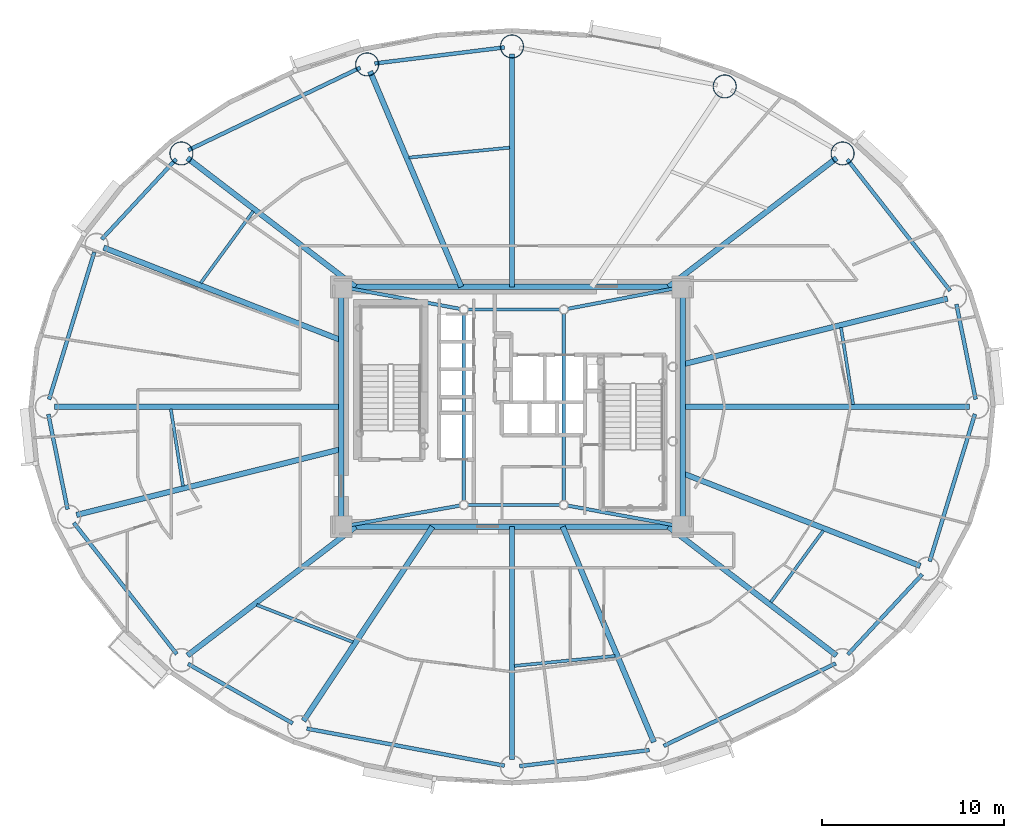
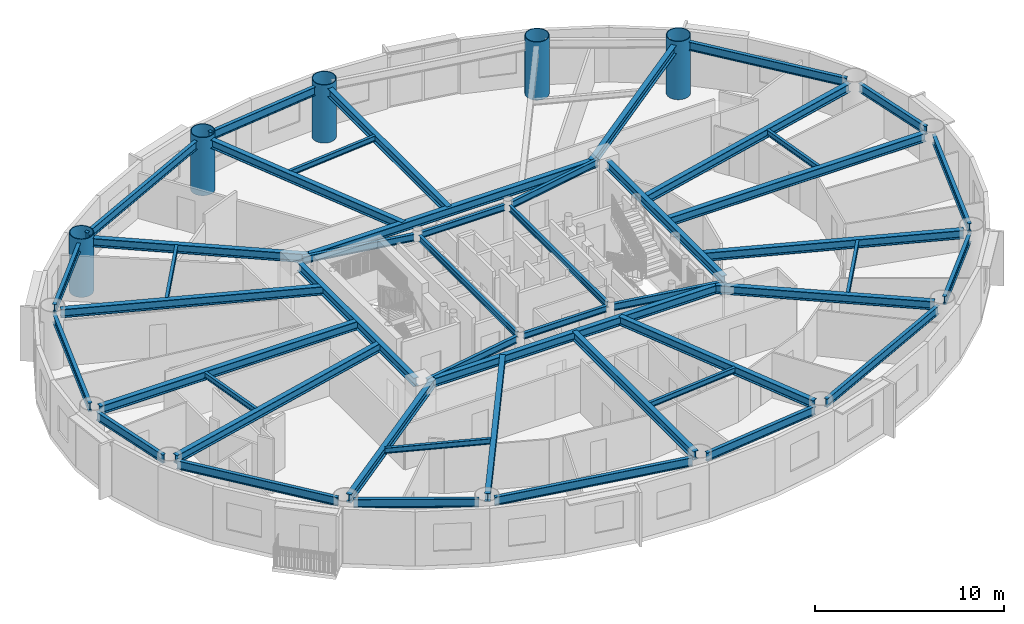
# One storey, part 3 of 18: 48 beams, 5 columns.
"""IFC4 building model written with IfcOpenShell, lengths in metres."""

from ifc_helpers import new_model, si_unit, direction, frame, origin, origin_2d, place, context, subcontext, project, spatial, hollow_circle, i_section, extrude, material, material_profile, profile_set, type_object, element, save


model = new_model("IFC4")

# Units and contexts
model_context = context("Model", 3, precision=1e-05, world=origin(), true_north=direction((0.0, 1.0)))
body_context = subcontext(model_context, "Body", "Model", "MODEL_VIEW")
ifc_project = project(units=[si_unit("LENGTHUNIT", "METRE"), si_unit("AREAUNIT", "SQUARE_METRE"), si_unit("VOLUMEUNIT", "CUBIC_METRE"), si_unit("PLANEANGLEUNIT", "RADIAN"), si_unit("MASSUNIT", "GRAM", prefix="KILO")], contexts=[model_context])

# Site, building, storey
site_placement = place(None, origin())
site = spatial("IfcSite", under=ifc_project, at=site_placement, CompositionType="ELEMENT")
building_placement = place(site_placement, origin())
building = spatial("IfcBuilding", under=site, at=building_placement, Name="Linh Dai School and Residence Tower", CompositionType="ELEMENT")
storey_placement = place(building_placement, frame((0.0, 0.0, 167.39990234375)))
storey = spatial("IfcBuildingStorey", under=building, at=storey_placement, Name="L40", CompositionType="ELEMENT", Elevation=167.39990234375)

# Columns
ifc_material = material(Name="Structural Steel S355JR", Category="steel")
ifc_material_profile_1 = material_profile(ifc_material, hollow_circle(Radius=0.64990234375, WallThickness=0.0400390625, at=origin_2d()), Name="CHS 1300x40")
ifc_profile_set_1 = profile_set([ifc_material_profile_1], Name="Structural Steel S355JR")
column_type = type_object("IfcColumnType", Name="COL-MC4", PredefinedType="COLUMN", material=ifc_profile_set_1)
for number, where, z_axis, x_axis, name in (
    (1, (54.1923828125, 40.941650390625, 0.0), (0.0, 0.0, 1.0), (1.0, 0.0, 0.0), "L40 Perimeter CFT Mega-Column MC03"),
    (2, (47.70556640625, 44.630859375, 0.0), (0.0, 0.0, 1.0), (1.0, 0.0, 0.0), "L40 Perimeter CFT Mega-Column MC04"),
    (3, (36.0, 46.830078125, 0.0), (0.0, 0.0, 1.0), (1.0, 0.0, 0.0), "L40 Perimeter CFT Mega-Column MC05"),
    (4, (28.026611328125, 45.84130859375, 0.0), (0.0, 0.0, 1.0), (1.0, 0.0, 0.0), "L40 Perimeter CFT Mega-Column MC06"),
    (5, (17.8076171875, 40.941650390625, 0.0), (0.0, 0.0, 1.0), (1.0, 0.0, 0.0), "L40 Perimeter CFT Mega-Column MC07"),
):
    element("IfcColumn", number, at=place(storey_placement, frame(where, z_axis=z_axis, x_axis=x_axis)), inside=storey, type_object=column_type, Name=name, PredefinedType="COLUMN", context=body_context, shape_type="SweptSolid", body=[
        extrude(hollow_circle(Radius=0.64990234375, WallThickness=0.0400390625, at=origin_2d()), origin(), (0.0, 0.0, 1.0), 3.75),
    ])

# Beams
ifc_material_profile_2 = material_profile(ifc_material, i_section(OverallWidth=0.2099609375, OverallDepth=0.550048828125, WebThickness=0.010986328125, FlangeThickness=0.01708984375, FilletRadius=0.02392578125, at=origin_2d()), Name="IPE 550")
ifc_profile_set_2 = profile_set([ifc_material_profile_2], Name="Structural Steel S355JR")
beam_type_1 = type_object("IfcBeamType", Name="BM-RB55", PredefinedType="BEAM", material=ifc_profile_set_2)
beam_1_placement = place(storey_placement, frame((61.5166015625, 27.41162109375, 3.22509765625), z_axis=(-0.198420723955, 0.980116940117, 0.0), x_axis=(-0.980116940117, -0.198420723955, 0.0)))
element("IfcBeam", 6, at=beam_1_placement, inside=storey, type_object=beam_type_1, Name="L40 Perimeter Elliptical Ring Beam 01", PredefinedType="BEAM", context=body_context, shape_type="SweptSolid", body=[
    extrude(i_section(OverallWidth=0.2099609375, OverallDepth=0.550048828125, WebThickness=0.010986328125, FlangeThickness=0.01708984375, FilletRadius=0.02392578125, at=origin_2d()), origin(), (0.0, 0.0, 1.0), 5.33642578125),
])
beam_2_placement = place(storey_placement, frame((60.115478515625, 33.38427734375, 3.22509765625), z_axis=(-0.616852281883, 0.787078942887, 0.0), x_axis=(-0.787078942887, -0.616852281883, 0.0)))
element("IfcBeam", 7, at=beam_2_placement, inside=storey, type_object=beam_type_1, Name="L40 Perimeter Elliptical Ring Beam 02", PredefinedType="BEAM", context=body_context, shape_type="SweptSolid", body=[
    extrude(i_section(OverallWidth=0.2099609375, OverallDepth=0.550048828125, WebThickness=0.010986328125, FlangeThickness=0.01708984375, FilletRadius=0.02392578125, at=origin_2d()), origin(), (0.0, 0.0, 1.0), 9.181884765625),
])
beam_3_placement = place(storey_placement, frame((35.583251953125, 46.7783203125, 3.22509765625), z_axis=(-0.992400597975, -0.123048986741, 0.0), x_axis=(0.123048986741, -0.992400597975, 0.0)))
element("IfcBeam", 8, at=beam_3_placement, inside=storey, type_object=beam_type_1, Name="L40 Perimeter Elliptical Ring Beam 05", PredefinedType="BEAM", context=body_context, shape_type="SweptSolid", body=[
    extrude(i_section(OverallWidth=0.2099609375, OverallDepth=0.550048828125, WebThickness=0.010986328125, FlangeThickness=0.01708984375, FilletRadius=0.02392578125, at=origin_2d()), origin(), (0.0, 0.0, 1.0), 7.1943359375),
])
beam_4_placement = place(storey_placement, frame((27.64794921875, 45.659912109375, 3.22509765625), z_axis=(-0.901708141823, -0.432345263614, 0.0), x_axis=(0.432345263614, -0.901708141823, 0.0)))
element("IfcBeam", 9, at=beam_4_placement, inside=storey, type_object=beam_type_1, Name="L40 Perimeter Elliptical Ring Beam 06", PredefinedType="BEAM", context=body_context, shape_type="SweptSolid", body=[
    extrude(i_section(OverallWidth=0.2099609375, OverallDepth=0.550048828125, WebThickness=0.010986328125, FlangeThickness=0.01708984375, FilletRadius=0.02392578125, at=origin_2d()), origin(), (0.0, 0.0, 1.0), 10.4931640625),
])
beam_5_placement = place(storey_placement, frame((17.521728515625, 40.6337890625, 3.22509765625), z_axis=(-0.680378035197, -0.732861330145, 0.0), x_axis=(0.732861330145, -0.680378035197, 0.0)))
element("IfcBeam", 10, at=beam_5_placement, inside=storey, type_object=beam_type_1, Name="L40 Perimeter Elliptical Ring Beam 07", PredefinedType="BEAM", context=body_context, shape_type="SweptSolid", body=[
    extrude(i_section(OverallWidth=0.2099609375, OverallDepth=0.550048828125, WebThickness=0.010986328125, FlangeThickness=0.01708984375, FilletRadius=0.02392578125, at=origin_2d()), origin(), (0.0, 0.0, 1.0), 6.024169921875),
])
beam_6_placement = place(storey_placement, frame((13.01416015625, 35.509765625, 3.22509765625), z_axis=(-0.29363681283, -0.955917058196, 0.0), x_axis=(0.955917058196, -0.29363681283, 0.0)))
element("IfcBeam", 11, at=beam_6_placement, inside=storey, type_object=beam_type_1, Name="L40 Perimeter Elliptical Ring Beam 08", PredefinedType="BEAM", context=body_context, shape_type="SweptSolid", body=[
    extrude(i_section(OverallWidth=0.2099609375, OverallDepth=0.550048828125, WebThickness=0.010986328125, FlangeThickness=0.01708984375, FilletRadius=0.02392578125, at=origin_2d()), origin(), (0.0, 0.0, 1.0), 8.482421875),
])
beam_7_placement = place(storey_placement, frame((10.4833984375, 26.58837890625, 3.22509765625), z_axis=(0.198420723955, -0.980116940117, 0.0), x_axis=(0.980116940117, 0.198420723955, 0.0)))
element("IfcBeam", 12, at=beam_7_placement, inside=storey, type_object=beam_type_1, Name="L40 Perimeter Elliptical Ring Beam 09", PredefinedType="BEAM", context=body_context, shape_type="SweptSolid", body=[
    extrude(i_section(OverallWidth=0.2099609375, OverallDepth=0.550048828125, WebThickness=0.010986328125, FlangeThickness=0.01708984375, FilletRadius=0.02392578125, at=origin_2d()), origin(), (0.0, 0.0, 1.0), 5.33642578125),
])
beam_8_placement = place(storey_placement, frame((11.884521484375, 20.61572265625, 3.22509765625), z_axis=(0.616852281883, -0.787078942887, 0.0), x_axis=(0.787078942887, 0.616852281883, 0.0)))
element("IfcBeam", 13, at=beam_8_placement, inside=storey, type_object=beam_type_1, Name="L40 Perimeter Elliptical Ring Beam 10", PredefinedType="BEAM", context=body_context, shape_type="SweptSolid", body=[
    extrude(i_section(OverallWidth=0.2099609375, OverallDepth=0.550048828125, WebThickness=0.010986328125, FlangeThickness=0.01708984375, FilletRadius=0.02392578125, at=origin_2d()), origin(), (0.0, 0.0, 1.0), 9.181884765625),
])
beam_9_placement = place(storey_placement, frame((18.172607421875, 12.8505859375, 3.22509765625), z_axis=(0.869262164011, -0.49435138335, 0.0), x_axis=(0.49435138335, 0.869262164011, 0.0)))
element("IfcBeam", 14, at=beam_9_placement, inside=storey, type_object=beam_type_1, Name="L40 Perimeter Elliptical Ring Beam 11", PredefinedType="BEAM", context=body_context, shape_type="SweptSolid", body=[
    extrude(i_section(OverallWidth=0.2099609375, OverallDepth=0.550048828125, WebThickness=0.010986328125, FlangeThickness=0.01708984375, FilletRadius=0.02392578125, at=origin_2d()), origin(), (0.0, 0.0, 1.0), 6.62255859375),
])
beam_10_placement = place(storey_placement, frame((24.707275390625, 9.29150390625, 3.22509765625), z_axis=(0.98280721278, -0.184634727255, 0.0), x_axis=(0.184634727255, 0.98280721278, 0.0)))
element("IfcBeam", 15, at=beam_10_placement, inside=storey, type_object=beam_type_1, Name="L40 Perimeter Elliptical Ring Beam 12", PredefinedType="BEAM", context=body_context, shape_type="SweptSolid", body=[
    extrude(i_section(OverallWidth=0.2099609375, OverallDepth=0.550048828125, WebThickness=0.010986328125, FlangeThickness=0.01708984375, FilletRadius=0.02392578125, at=origin_2d()), origin(), (0.0, 0.0, 1.0), 11.0703125),
])
beam_11_placement = place(storey_placement, frame((36.416748046875, 7.2216796875, 3.22509765625), z_axis=(0.992400597975, 0.123048986741, 0.0), x_axis=(-0.123048986741, 0.992400597975, 0.0)))
element("IfcBeam", 16, at=beam_11_placement, inside=storey, type_object=beam_type_1, Name="L40 Perimeter Elliptical Ring Beam 13", PredefinedType="BEAM", context=body_context, shape_type="SweptSolid", body=[
    extrude(i_section(OverallWidth=0.2099609375, OverallDepth=0.550048828125, WebThickness=0.010986328125, FlangeThickness=0.01708984375, FilletRadius=0.02392578125, at=origin_2d()), origin(), (0.0, 0.0, 1.0), 7.1943359375),
])
beam_12_placement = place(storey_placement, frame((44.35205078125, 8.340087890625, 3.22509765625), z_axis=(0.901708141823, 0.432345263614, 0.0), x_axis=(-0.432345263614, 0.901708141823, 0.0)))
element("IfcBeam", 17, at=beam_12_placement, inside=storey, type_object=beam_type_1, Name="L40 Perimeter Elliptical Ring Beam 14", PredefinedType="BEAM", context=body_context, shape_type="SweptSolid", body=[
    extrude(i_section(OverallWidth=0.2099609375, OverallDepth=0.550048828125, WebThickness=0.010986328125, FlangeThickness=0.01708984375, FilletRadius=0.02392578125, at=origin_2d()), origin(), (0.0, 0.0, 1.0), 10.4931640625),
])
beam_13_placement = place(storey_placement, frame((54.478271484375, 13.3662109375, 3.22509765625), z_axis=(0.680378035197, 0.732861330145, 0.0), x_axis=(-0.732861330145, 0.680378035197, 0.0)))
element("IfcBeam", 18, at=beam_13_placement, inside=storey, type_object=beam_type_1, Name="L40 Perimeter Elliptical Ring Beam 15", PredefinedType="BEAM", context=body_context, shape_type="SweptSolid", body=[
    extrude(i_section(OverallWidth=0.2099609375, OverallDepth=0.550048828125, WebThickness=0.010986328125, FlangeThickness=0.01708984375, FilletRadius=0.02392578125, at=origin_2d()), origin(), (0.0, 0.0, 1.0), 6.024169921875),
])
beam_14_placement = place(storey_placement, frame((58.98583984375, 18.490234375, 3.22509765625), z_axis=(0.29363681283, 0.955917058196, 0.0), x_axis=(-0.955917058196, 0.29363681283, 0.0)))
element("IfcBeam", 19, at=beam_14_placement, inside=storey, type_object=beam_type_1, Name="L40 Perimeter Elliptical Ring Beam 16", PredefinedType="BEAM", context=body_context, shape_type="SweptSolid", body=[
    extrude(i_section(OverallWidth=0.2099609375, OverallDepth=0.550048828125, WebThickness=0.010986328125, FlangeThickness=0.01708984375, FilletRadius=0.02392578125, at=origin_2d()), origin(), (0.0, 0.0, 1.0), 8.482421875),
])
ifc_material_profile_3 = material_profile(ifc_material, i_section(OverallWidth=0.300048828125, OverallDepth=0.550048828125, WebThickness=0.014892578125, FlangeThickness=0.029052734375, FilletRadius=0.027099609375, at=origin_2d()), Name="HEB 550")
ifc_profile_set_3 = profile_set([ifc_material_profile_3], Name="Structural Steel S355JR")
beam_type_2 = type_object("IfcBeamType", Name="BM-RG55", PredefinedType="BEAM", material=ifc_profile_set_3)
beam_15_placement = place(storey_placement, frame((27.02001953125, 20.39990234375, 3.22509765625), z_axis=(1.0, 0.0, 0.0), x_axis=(0.0, 1.0, 0.0)))
element("IfcBeam", 20, at=beam_15_placement, inside=storey, type_object=beam_type_2, Name="L40 Core Perimeter Coupling Girder 1", PredefinedType="BEAM", context=body_context, shape_type="SweptSolid", body=[
    extrude(i_section(OverallWidth=0.300048828125, OverallDepth=0.550048828125, WebThickness=0.014892578125, FlangeThickness=0.029052734375, FilletRadius=0.027099609375, at=origin_2d()), origin(), (0.0, 0.0, 1.0), 17.9599609375),
])
beam_16_placement = place(storey_placement, frame((45.39990234375, 20.820068359375, 3.22509765625), z_axis=(0.0, 1.0, 0.0), x_axis=(-1.0, 0.0, 0.0)))
element("IfcBeam", 21, at=beam_16_placement, inside=storey, type_object=beam_type_2, Name="L40 Core Perimeter Coupling Girder 2", PredefinedType="BEAM", context=body_context, shape_type="SweptSolid", body=[
    extrude(i_section(OverallWidth=0.300048828125, OverallDepth=0.550048828125, WebThickness=0.014892578125, FlangeThickness=0.029052734375, FilletRadius=0.027099609375, at=origin_2d()), origin(), (0.0, 0.0, 1.0), 12.35986328125),
])
beam_17_placement = place(storey_placement, frame((44.97998046875, 33.60009765625, 3.22509765625), z_axis=(-1.0, 0.0, 0.0), x_axis=(0.0, -1.0, 0.0)))
element("IfcBeam", 22, at=beam_17_placement, inside=storey, type_object=beam_type_2, Name="L40 Core Perimeter Coupling Girder 3", PredefinedType="BEAM", context=body_context, shape_type="SweptSolid", body=[
    extrude(i_section(OverallWidth=0.300048828125, OverallDepth=0.550048828125, WebThickness=0.014892578125, FlangeThickness=0.029052734375, FilletRadius=0.027099609375, at=origin_2d()), origin(), (0.0, 0.0, 1.0), 17.9599609375),
])
beam_18_placement = place(storey_placement, frame((26.60009765625, 33.179931640625, 3.22509765625), z_axis=(0.0, -1.0, 0.0), x_axis=(1.0, 0.0, 0.0)))
element("IfcBeam", 23, at=beam_18_placement, inside=storey, type_object=beam_type_2, Name="L40 Core Perimeter Coupling Girder 4", PredefinedType="BEAM", context=body_context, shape_type="SweptSolid", body=[
    extrude(i_section(OverallWidth=0.300048828125, OverallDepth=0.550048828125, WebThickness=0.014892578125, FlangeThickness=0.029052734375, FilletRadius=0.027099609375, at=origin_2d()), origin(), (0.0, 0.0, 1.0), 12.35986328125),
])
beam_19_placement = place(storey_placement, frame((45.39990234375, 27.0, 3.22509765625), z_axis=(1.0, 0.0, 0.0), x_axis=(0.0, 1.0, 0.0)))
element("IfcBeam", 24, at=beam_19_placement, inside=storey, type_object=beam_type_2, Name="L40 Primary Radial Floor Girder 01", PredefinedType="BEAM", context=body_context, shape_type="SweptSolid", body=[
    extrude(i_section(OverallWidth=0.300048828125, OverallDepth=0.550048828125, WebThickness=0.014892578125, FlangeThickness=0.029052734375, FilletRadius=0.027099609375, at=origin_2d()), origin(), (0.0, 0.0, 1.0), 15.780029296875),
])
beam_20_placement = place(storey_placement, frame((45.39990234375, 29.33447265625, 3.22509765625), z_axis=(0.970514508209, 0.24104271272, 0.0), x_axis=(-0.24104271272, 0.970514508209, 0.0)))
element("IfcBeam", 25, at=beam_20_placement, inside=storey, type_object=beam_type_2, Name="L40 Primary Radial Floor Girder 02", PredefinedType="BEAM", context=body_context, shape_type="SweptSolid", body=[
    extrude(i_section(OverallWidth=0.300048828125, OverallDepth=0.550048828125, WebThickness=0.014892578125, FlangeThickness=0.029052734375, FilletRadius=0.027099609375, at=origin_2d()), origin(), (0.0, 0.0, 1.0), 15.009521484375),
])
beam_21_placement = place(storey_placement, frame((44.6123046875, 33.60009765625, 3.22509765625), z_axis=(0.793732831925, 0.608266546445, 0.0), x_axis=(-0.608266546445, 0.793732831925, 0.0)))
element("IfcBeam", 26, at=beam_21_placement, inside=storey, type_object=beam_type_2, Name="L40 Primary Radial Floor Girder 03", PredefinedType="BEAM", context=body_context, shape_type="SweptSolid", body=[
    extrude(i_section(OverallWidth=0.300048828125, OverallDepth=0.550048828125, WebThickness=0.014892578125, FlangeThickness=0.029052734375, FilletRadius=0.027099609375, at=origin_2d()), origin(), (0.0, 0.0, 1.0), 11.64990234375),
])
beam_22_placement = place(storey_placement, frame((36.0, 33.60009765625, 3.22509765625), z_axis=(0.0, 1.0, 0.0), x_axis=(-1.0, 0.0, 0.0)))
element("IfcBeam", 27, at=beam_22_placement, inside=storey, type_object=beam_type_2, Name="L40 Primary Radial Floor Girder 05", PredefinedType="BEAM", context=body_context, shape_type="SweptSolid", body=[
    extrude(i_section(OverallWidth=0.300048828125, OverallDepth=0.550048828125, WebThickness=0.014892578125, FlangeThickness=0.029052734375, FilletRadius=0.027099609375, at=origin_2d()), origin(), (0.0, 0.0, 1.0), 12.809814453125),
])
beam_23_placement = place(storey_placement, frame((33.20703125, 33.60009765625, 3.22509765625), z_axis=(-0.389721661447, 0.920932693849, 0.0), x_axis=(-0.920932693849, -0.389721661447, 0.0)))
element("IfcBeam", 28, at=beam_23_placement, inside=storey, type_object=beam_type_2, Name="L40 Primary Radial Floor Girder 06", PredefinedType="BEAM", context=body_context, shape_type="SweptSolid", body=[
    extrude(i_section(OverallWidth=0.300048828125, OverallDepth=0.550048828125, WebThickness=0.014892578125, FlangeThickness=0.029052734375, FilletRadius=0.027099609375, at=origin_2d()), origin(), (0.0, 0.0, 1.0), 12.872314453125),
])
beam_24_placement = place(storey_placement, frame((27.3876953125, 33.60009765625, 3.22509765625), z_axis=(-0.793732831925, 0.608266546445, 0.0), x_axis=(-0.608266546445, -0.793732831925, 0.0)))
element("IfcBeam", 29, at=beam_24_placement, inside=storey, type_object=beam_type_2, Name="L40 Primary Radial Floor Girder 07", PredefinedType="BEAM", context=body_context, shape_type="SweptSolid", body=[
    extrude(i_section(OverallWidth=0.300048828125, OverallDepth=0.550048828125, WebThickness=0.014892578125, FlangeThickness=0.029052734375, FilletRadius=0.027099609375, at=origin_2d()), origin(), (0.0, 0.0, 1.0), 11.64990234375),
])
beam_25_placement = place(storey_placement, frame((26.60009765625, 30.663818359375, 3.22509765625), z_axis=(-0.931722873254, 0.363170053081, 0.0), x_axis=(-0.363170053081, -0.931722873254, 0.0)))
element("IfcBeam", 30, at=beam_25_placement, inside=storey, type_object=beam_type_2, Name="L40 Primary Radial Floor Girder 08", PredefinedType="BEAM", context=body_context, shape_type="SweptSolid", body=[
    extrude(i_section(OverallWidth=0.300048828125, OverallDepth=0.550048828125, WebThickness=0.014892578125, FlangeThickness=0.029052734375, FilletRadius=0.027099609375, at=origin_2d()), origin(), (0.0, 0.0, 1.0), 14.029052734375),
])
beam_26_placement = place(storey_placement, frame((26.60009765625, 27.0, 3.22509765625), z_axis=(-1.0, 0.0, 0.0), x_axis=(0.0, -1.0, 0.0)))
element("IfcBeam", 31, at=beam_26_placement, inside=storey, type_object=beam_type_2, Name="L40 Primary Radial Floor Girder 09", PredefinedType="BEAM", context=body_context, shape_type="SweptSolid", body=[
    extrude(i_section(OverallWidth=0.300048828125, OverallDepth=0.550048828125, WebThickness=0.014892578125, FlangeThickness=0.029052734375, FilletRadius=0.027099609375, at=origin_2d()), origin(), (0.0, 0.0, 1.0), 15.780029296875),
])
beam_27_placement = place(storey_placement, frame((26.60009765625, 24.66552734375, 3.22509765625), z_axis=(-0.970514508209, -0.24104271272, 0.0), x_axis=(0.24104271272, -0.970514508209, 0.0)))
element("IfcBeam", 32, at=beam_27_placement, inside=storey, type_object=beam_type_2, Name="L40 Primary Radial Floor Girder 10", PredefinedType="BEAM", context=body_context, shape_type="SweptSolid", body=[
    extrude(i_section(OverallWidth=0.300048828125, OverallDepth=0.550048828125, WebThickness=0.014892578125, FlangeThickness=0.029052734375, FilletRadius=0.027099609375, at=origin_2d()), origin(), (0.0, 0.0, 1.0), 15.009521484375),
])
beam_28_placement = place(storey_placement, frame((27.3876953125, 20.39990234375, 3.22509765625), z_axis=(-0.793732831925, -0.608266546445, 0.0), x_axis=(0.608266546445, -0.793732831925, 0.0)))
element("IfcBeam", 33, at=beam_28_placement, inside=storey, type_object=beam_type_2, Name="L40 Primary Radial Floor Girder 11", PredefinedType="BEAM", context=body_context, shape_type="SweptSolid", body=[
    extrude(i_section(OverallWidth=0.300048828125, OverallDepth=0.550048828125, WebThickness=0.014892578125, FlangeThickness=0.029052734375, FilletRadius=0.027099609375, at=origin_2d()), origin(), (0.0, 0.0, 1.0), 11.64990234375),
])
beam_29_placement = place(storey_placement, frame((31.6181640625, 20.39990234375, 3.22509765625), z_axis=(-0.553117176317, -0.833103468522, 0.0), x_axis=(0.833103468522, -0.553117176317, 0.0)))
element("IfcBeam", 34, at=beam_29_placement, inside=storey, type_object=beam_type_2, Name="L40 Primary Radial Floor Girder 12", PredefinedType="BEAM", context=body_context, shape_type="SweptSolid", body=[
    extrude(i_section(OverallWidth=0.300048828125, OverallDepth=0.550048828125, WebThickness=0.014892578125, FlangeThickness=0.029052734375, FilletRadius=0.027099609375, at=origin_2d()), origin(), (0.0, 0.0, 1.0), 12.820556640625),
])
beam_30_placement = place(storey_placement, frame((36.0, 20.39990234375, 3.22509765625), z_axis=(0.0, -1.0, 0.0), x_axis=(1.0, 0.0, 0.0)))
element("IfcBeam", 35, at=beam_30_placement, inside=storey, type_object=beam_type_2, Name="L40 Primary Radial Floor Girder 13", PredefinedType="BEAM", context=body_context, shape_type="SweptSolid", body=[
    extrude(i_section(OverallWidth=0.300048828125, OverallDepth=0.550048828125, WebThickness=0.014892578125, FlangeThickness=0.029052734375, FilletRadius=0.027099609375, at=origin_2d()), origin(), (0.0, 0.0, 1.0), 12.809814453125),
])
beam_31_placement = place(storey_placement, frame((38.79296875, 20.39990234375, 3.22509765625), z_axis=(0.389721661447, -0.920932693849, 0.0), x_axis=(0.920932693849, 0.389721661447, 0.0)))
element("IfcBeam", 36, at=beam_31_placement, inside=storey, type_object=beam_type_2, Name="L40 Primary Radial Floor Girder 14", PredefinedType="BEAM", context=body_context, shape_type="SweptSolid", body=[
    extrude(i_section(OverallWidth=0.300048828125, OverallDepth=0.550048828125, WebThickness=0.014892578125, FlangeThickness=0.029052734375, FilletRadius=0.027099609375, at=origin_2d()), origin(), (0.0, 0.0, 1.0), 12.872314453125),
])
beam_32_placement = place(storey_placement, frame((44.6123046875, 20.39990234375, 3.22509765625), z_axis=(0.793732831925, -0.608266546445, 0.0), x_axis=(0.608266546445, 0.793732831925, 0.0)))
element("IfcBeam", 37, at=beam_32_placement, inside=storey, type_object=beam_type_2, Name="L40 Primary Radial Floor Girder 15", PredefinedType="BEAM", context=body_context, shape_type="SweptSolid", body=[
    extrude(i_section(OverallWidth=0.300048828125, OverallDepth=0.550048828125, WebThickness=0.014892578125, FlangeThickness=0.029052734375, FilletRadius=0.027099609375, at=origin_2d()), origin(), (0.0, 0.0, 1.0), 11.64990234375),
])
beam_33_placement = place(storey_placement, frame((45.39990234375, 23.336181640625, 3.22509765625), z_axis=(0.931722873254, -0.363170053081, 0.0), x_axis=(0.363170053081, 0.931722873254, 0.0)))
element("IfcBeam", 38, at=beam_33_placement, inside=storey, type_object=beam_type_2, Name="L40 Primary Radial Floor Girder 16", PredefinedType="BEAM", context=body_context, shape_type="SweptSolid", body=[
    extrude(i_section(OverallWidth=0.300048828125, OverallDepth=0.550048828125, WebThickness=0.014892578125, FlangeThickness=0.029052734375, FilletRadius=0.027099609375, at=origin_2d()), origin(), (0.0, 0.0, 1.0), 14.029052734375),
])
ifc_material_profile_4 = material_profile(ifc_material, i_section(OverallWidth=0.169921875, OverallDepth=0.360107421875, WebThickness=0.008056640625, FlangeThickness=0.0126953125, FilletRadius=0.01806640625, at=origin_2d()), Name="IPE 360")
ifc_profile_set_4 = profile_set([ifc_material_profile_4], Name="Structural Steel S355JR")
beam_type_3 = type_object("IfcBeamType", Name="BM-SB36", PredefinedType="BEAM", material=ifc_profile_set_4)
beam_34_placement = place(storey_placement, frame((54.775634765625, 27.12841796875, 3.320068359375), z_axis=(-0.156304675371, 0.987708888518, 0.0), x_axis=(-0.987708888518, -0.156304675371, 0.0)))
element("IfcBeam", 39, at=beam_34_placement, inside=storey, type_object=beam_type_3, Name="L40 Secondary Circumferential Floor Beam 01", PredefinedType="BEAM", context=body_context, shape_type="SweptSolid", body=[
    extrude(i_section(OverallWidth=0.169921875, OverallDepth=0.360107421875, WebThickness=0.008056640625, FlangeThickness=0.0126953125, FilletRadius=0.01806640625, at=origin_2d()), origin(), (0.0, 0.0, 1.0), 4.28759765625),
])
beam_35_placement = place(storey_placement, frame((35.87060546875, 41.260498046875, 3.320068359375), z_axis=(-0.995148179174, -0.098387506761, 0.0), x_axis=(0.098387506761, -0.995148179174, 0.0)))
element("IfcBeam", 40, at=beam_35_placement, inside=storey, type_object=beam_type_3, Name="L40 Secondary Circumferential Floor Beam 03", PredefinedType="BEAM", context=body_context, shape_type="SweptSolid", body=[
    extrude(i_section(OverallWidth=0.169921875, OverallDepth=0.360107421875, WebThickness=0.008056640625, FlangeThickness=0.0126953125, FilletRadius=0.01806640625, at=origin_2d()), origin(), (0.0, 0.0, 1.0), 5.56591796875),
])
beam_36_placement = place(storey_placement, frame((21.75439453125, 37.75341796875, 3.320068359375), z_axis=(-0.590804505267, -0.806814747359, 0.0), x_axis=(0.806814747359, -0.590804505267, 0.0)))
element("IfcBeam", 41, at=beam_36_placement, inside=storey, type_object=beam_type_3, Name="L40 Secondary Circumferential Floor Beam 04", PredefinedType="BEAM", context=body_context, shape_type="SweptSolid", body=[
    extrude(i_section(OverallWidth=0.169921875, OverallDepth=0.360107421875, WebThickness=0.008056640625, FlangeThickness=0.0126953125, FilletRadius=0.01806640625, at=origin_2d()), origin(), (0.0, 0.0, 1.0), 4.884765625),
])
beam_37_placement = place(storey_placement, frame((17.224365234375, 26.87158203125, 3.320068359375), z_axis=(0.156304675371, -0.987708888518, 0.0), x_axis=(0.987708888518, 0.156304675371, 0.0)))
element("IfcBeam", 42, at=beam_37_placement, inside=storey, type_object=beam_type_3, Name="L40 Secondary Circumferential Floor Beam 05", PredefinedType="BEAM", context=body_context, shape_type="SweptSolid", body=[
    extrude(i_section(OverallWidth=0.169921875, OverallDepth=0.360107421875, WebThickness=0.008056640625, FlangeThickness=0.0126953125, FilletRadius=0.01806640625, at=origin_2d()), origin(), (0.0, 0.0, 1.0), 4.28759765625),
])
beam_38_placement = place(storey_placement, frame((21.952392578125, 16.094970703125, 3.320068359375), z_axis=(0.932814887644, -0.360355914881, 0.0), x_axis=(0.360355914881, 0.932814887644, 0.0)))
element("IfcBeam", 43, at=beam_38_placement, inside=storey, type_object=beam_type_3, Name="L40 Secondary Circumferential Floor Beam 06", PredefinedType="BEAM", context=body_context, shape_type="SweptSolid", body=[
    extrude(i_section(OverallWidth=0.169921875, OverallDepth=0.360107421875, WebThickness=0.008056640625, FlangeThickness=0.0126953125, FilletRadius=0.01806640625, at=origin_2d()), origin(), (0.0, 0.0, 1.0), 5.67822265625),
])
beam_39_placement = place(storey_placement, frame((36.12939453125, 12.739501953125, 3.320068359375), z_axis=(0.995148179174, 0.098387506761, 0.0), x_axis=(-0.098387506761, 0.995148179174, 0.0)))
element("IfcBeam", 44, at=beam_39_placement, inside=storey, type_object=beam_type_3, Name="L40 Secondary Circumferential Floor Beam 07", PredefinedType="BEAM", context=body_context, shape_type="SweptSolid", body=[
    extrude(i_section(OverallWidth=0.169921875, OverallDepth=0.360107421875, WebThickness=0.008056640625, FlangeThickness=0.0126953125, FilletRadius=0.01806640625, at=origin_2d()), origin(), (0.0, 0.0, 1.0), 5.56591796875),
])
beam_40_placement = place(storey_placement, frame((50.24560546875, 16.24658203125, 3.320068359375), z_axis=(0.590804505267, 0.806814747359, 0.0), x_axis=(-0.806814747359, 0.590804505267, 0.0)))
element("IfcBeam", 45, at=beam_40_placement, inside=storey, type_object=beam_type_3, Name="L40 Secondary Circumferential Floor Beam 08", PredefinedType="BEAM", context=body_context, shape_type="SweptSolid", body=[
    extrude(i_section(OverallWidth=0.169921875, OverallDepth=0.360107421875, WebThickness=0.008056640625, FlangeThickness=0.0126953125, FilletRadius=0.01806640625, at=origin_2d()), origin(), (0.0, 0.0, 1.0), 4.884765625),
])
ifc_material_profile_5 = material_profile(ifc_material, i_section(OverallWidth=0.179931640625, OverallDepth=0.39990234375, WebThickness=0.008544921875, FlangeThickness=0.013427734375, FilletRadius=0.02099609375, at=origin_2d()), Name="IPE 400")
ifc_profile_set_5 = profile_set([ifc_material_profile_5], Name="Structural Steel S355JR")
beam_type_4 = type_object("IfcBeamType", Name="BM-SB40", PredefinedType="BEAM", material=ifc_profile_set_5)
beam_41_placement = place(storey_placement, frame((33.573974609375, 21.60009765625, 3.300048828125), z_axis=(1.0, 0.0, 0.0), x_axis=(0.0, 1.0, 0.0)))
element("IfcBeam", 46, at=beam_41_placement, inside=storey, type_object=beam_type_4, Name="L40 Core Mast Pier Tie Beam 1", PredefinedType="BEAM", context=body_context, shape_type="SweptSolid", body=[
    extrude(i_section(OverallWidth=0.179931640625, OverallDepth=0.39990234375, WebThickness=0.008544921875, FlangeThickness=0.013427734375, FilletRadius=0.02099609375, at=origin_2d()), origin(), (0.0, 0.0, 1.0), 5.052001953125),
])
beam_42_placement = place(storey_placement, frame((38.85009765625, 21.823974609375, 3.300048828125), z_axis=(0.0, 1.0, 0.0), x_axis=(-1.0, 0.0, 0.0)))
element("IfcBeam", 47, at=beam_42_placement, inside=storey, type_object=beam_type_4, Name="L40 Core Mast Pier Tie Beam 2", PredefinedType="BEAM", context=body_context, shape_type="SweptSolid", body=[
    extrude(i_section(OverallWidth=0.179931640625, OverallDepth=0.39990234375, WebThickness=0.008544921875, FlangeThickness=0.013427734375, FilletRadius=0.02099609375, at=origin_2d()), origin(), (0.0, 0.0, 1.0), 10.302001953125),
])
beam_43_placement = place(storey_placement, frame((38.6259765625, 32.35009765625, 3.300048828125), z_axis=(-1.0, 0.0, 0.0), x_axis=(0.0, -1.0, 0.0)))
element("IfcBeam", 48, at=beam_43_placement, inside=storey, type_object=beam_type_4, Name="L40 Core Mast Pier Tie Beam 3", PredefinedType="BEAM", context=body_context, shape_type="SweptSolid", body=[
    extrude(i_section(OverallWidth=0.179931640625, OverallDepth=0.39990234375, WebThickness=0.008544921875, FlangeThickness=0.013427734375, FilletRadius=0.02099609375, at=origin_2d()), origin(), (0.0, 0.0, 1.0), 5.052001953125),
])
beam_44_placement = place(storey_placement, frame((33.35009765625, 32.1259765625, 3.300048828125), z_axis=(0.0, -1.0, 0.0), x_axis=(1.0, 0.0, 0.0)))
element("IfcBeam", 49, at=beam_44_placement, inside=storey, type_object=beam_type_4, Name="L40 Core Mast Pier Tie Beam 4", PredefinedType="BEAM", context=body_context, shape_type="SweptSolid", body=[
    extrude(i_section(OverallWidth=0.179931640625, OverallDepth=0.39990234375, WebThickness=0.008544921875, FlangeThickness=0.013427734375, FilletRadius=0.02099609375, at=origin_2d()), origin(), (0.0, 0.0, 1.0), 10.302001953125),
])
ifc_material_profile_6 = material_profile(ifc_material, i_section(OverallWidth=0.18994140625, OverallDepth=0.449951171875, WebThickness=0.009521484375, FlangeThickness=0.0146484375, FilletRadius=0.02099609375, at=origin_2d()), Name="IPE 450")
ifc_profile_set_6 = profile_set([ifc_material_profile_6], Name="Structural Steel S355JR")
beam_type_5 = type_object("IfcBeamType", Name="BM-SB45", PredefinedType="BEAM", material=ifc_profile_set_6)
beam_45_placement = place(storey_placement, frame((27.013427734375, 20.4736328125, 3.275146484375), z_axis=(0.984565969371, 0.175013862185, 0.0), x_axis=(-0.175013862185, 0.984565969371, 0.0)))
element("IfcBeam", 50, at=beam_45_placement, inside=storey, type_object=beam_type_5, Name="L40 Core Corner-to-Mast Pier Beam 1", PredefinedType="BEAM", context=body_context, shape_type="SweptSolid", body=[
    extrude(i_section(OverallWidth=0.18994140625, OverallDepth=0.449951171875, WebThickness=0.009521484375, FlangeThickness=0.0146484375, FilletRadius=0.02099609375, at=origin_2d()), origin(), (0.0, 0.0, 1.0), 6.2119140625),
])
beam_46_placement = place(storey_placement, frame((44.98681640625, 20.4755859375, 3.275146484375), z_axis=(-0.983627428732, 0.180213987933, 0.0), x_axis=(-0.180213987933, -0.983627428732, 0.0)))
element("IfcBeam", 51, at=beam_46_placement, inside=storey, type_object=beam_type_5, Name="L40 Core Corner-to-Mast Pier Beam 2", PredefinedType="BEAM", context=body_context, shape_type="SweptSolid", body=[
    extrude(i_section(OverallWidth=0.18994140625, OverallDepth=0.449951171875, WebThickness=0.009521484375, FlangeThickness=0.0146484375, FilletRadius=0.02099609375, at=origin_2d()), origin(), (0.0, 0.0, 1.0), 6.014892578125),
])
beam_47_placement = place(storey_placement, frame((44.987548828125, 33.521240234375, 3.275146484375), z_axis=(-0.982277147686, -0.187434268836, 0.0), x_axis=(0.187434268836, -0.982277147686, 0.0)))
element("IfcBeam", 52, at=beam_47_placement, inside=storey, type_object=beam_type_5, Name="L40 Core Corner-to-Mast Pier Beam 3", PredefinedType="BEAM", context=body_context, shape_type="SweptSolid", body=[
    extrude(i_section(OverallWidth=0.18994140625, OverallDepth=0.449951171875, WebThickness=0.009521484375, FlangeThickness=0.0146484375, FilletRadius=0.02099609375, at=origin_2d()), origin(), (0.0, 0.0, 1.0), 6.024169921875),
])
beam_48_placement = place(storey_placement, frame((27.012939453125, 33.5234375, 3.275146484375), z_axis=(0.983286429055, -0.182065368579, 0.0), x_axis=(0.182065368579, 0.983286429055, 0.0)))
element("IfcBeam", 53, at=beam_48_placement, inside=storey, type_object=beam_type_5, Name="L40 Core Corner-to-Mast Pier Beam 4", PredefinedType="BEAM", context=body_context, shape_type="SweptSolid", body=[
    extrude(i_section(OverallWidth=0.18994140625, OverallDepth=0.449951171875, WebThickness=0.009521484375, FlangeThickness=0.0146484375, FilletRadius=0.02099609375, at=origin_2d()), origin(), (0.0, 0.0, 1.0), 6.220703125),
])

save(model, "model.ifc")
